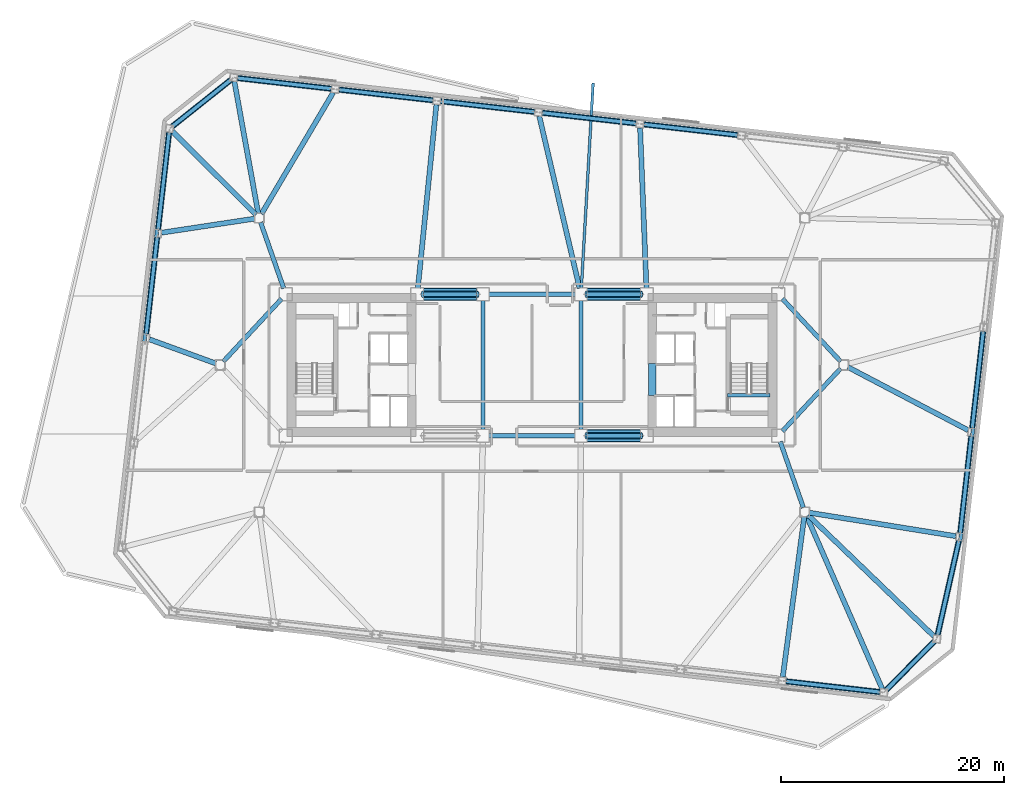
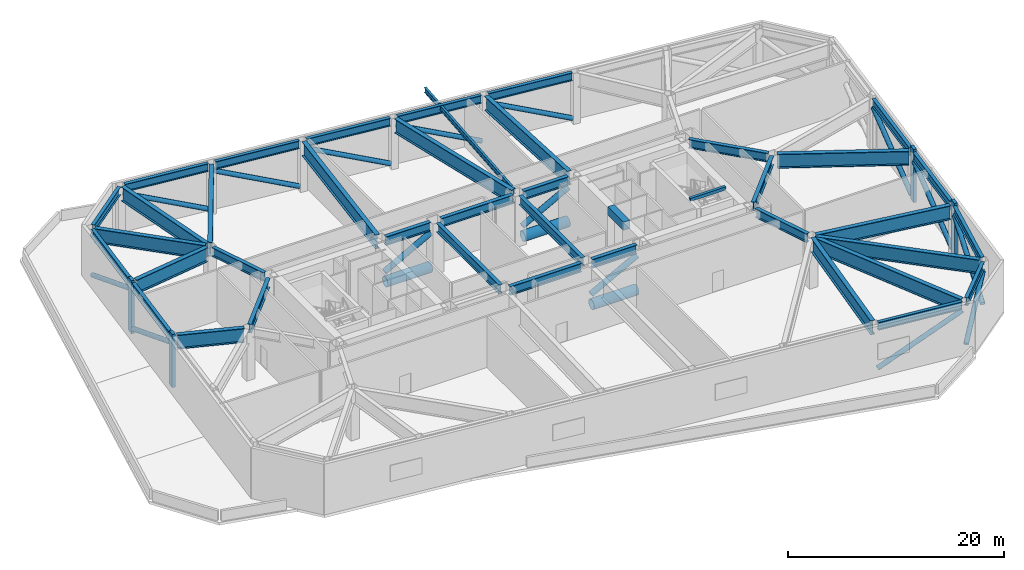
# One storey, part 2 of 14: 41 beams, 23 members.
"""IFC4 building model written with IfcOpenShell, lengths in metres."""

from ifc_helpers import new_model, si_unit, direction, frame, origin, origin_2d, place, context, subcontext, project, spatial, rectangle, hollow_circle, i_section, extrude, material, material_profile, profile_set, type_object, element, save


model = new_model("IFC4")

# Units and contexts
model_context = context("Model", 3, precision=1e-05, world=origin(), true_north=direction((0.0, 1.0)))
body_context = subcontext(model_context, "Body", "Model", "MODEL_VIEW")
ifc_project = project(units=[si_unit("LENGTHUNIT", "METRE"), si_unit("AREAUNIT", "SQUARE_METRE"), si_unit("VOLUMEUNIT", "CUBIC_METRE"), si_unit("PLANEANGLEUNIT", "RADIAN"), si_unit("MASSUNIT", "GRAM", prefix="KILO")], contexts=[model_context])

# Site, building, storey
site_placement = place(None, origin())
site = spatial("IfcSite", under=ifc_project, at=site_placement, CompositionType="ELEMENT")
building_placement = place(site_placement, origin())
building = spatial("IfcBuilding", under=site, at=building_placement, Name="Tavrogorsk Clinical Tower", CompositionType="ELEMENT")
storey_placement = place(building_placement, frame((0.0, 0.0, 83.39990234375)))
storey = spatial("IfcBuildingStorey", under=building, at=storey_placement, Name="L18", CompositionType="ELEMENT", Elevation=83.39990234375)

# Beam
ifc_material_1 = material(Name="Concrete B80", Category="concrete")
ifc_material_profile_1 = material_profile(ifc_material_1, rectangle(XDim=0.699951171875, YDim=0.949951171875, at=origin_2d()), Name="RC-CB-700x950")
ifc_profile_set_1 = profile_set([ifc_material_profile_1], Name="Concrete B80")
beam_type_1 = type_object("IfcBeamType", Name="CouplingBeam_RC700x950", PredefinedType="LINTEL", material=ifc_profile_set_1)
beam_1_placement = place(storey_placement, frame((10.800048828125, -2.75, 5.26513671875), z_axis=(0.0, 1.0, 0.0), x_axis=(-1.0, 0.0, 0.0)))
element("IfcBeam", 1, at=beam_1_placement, inside=storey, type_object=beam_type_1, Name="L18 Core East Coupling Beam", PredefinedType="LINTEL", context=body_context, shape_type="SweptSolid", body=[
    extrude(rectangle(XDim=0.699951171875, YDim=0.949951171875, at=origin_2d()), origin(), (0.0, 0.0, 1.0), 2.89990234375),
])

# Members
ifc_material_2 = material(Name="Structural steel S440", Category="steel")
ifc_material_profile_2 = material_profile(ifc_material_2, hollow_circle(Radius=0.25390625, WallThickness=0.02001953125, at=origin_2d()), Name="CHS-508x20")
ifc_profile_set_2 = profile_set([ifc_material_profile_2], Name="Structural steel S440")
member_type_1 = type_object("IfcMemberType", Name="ExoBrace_CHS508", PredefinedType="BRACE", material=ifc_profile_set_2)
member_1_placement = place(storey_placement, frame((22.78515625, -28.398681640625, 0.506103515625), z_axis=(0.89439520505, -0.101892798594, 0.435517020078), x_axis=(0.113191519986, 0.993573187945, 0.0)))
element("IfcMember", 2, at=member_1_placement, inside=storey, type_object=member_type_1, Name="L18 Exoskeleton Belt Diagonal S7-S8", PredefinedType="BRACE", context=body_context, shape_type="SweptSolid", body=[
    extrude(hollow_circle(Radius=0.25390625, WallThickness=0.02001953125, at=origin_2d()), origin(), (0.0, 0.0, 1.0), 9.478759765625),
])
member_2_placement = place(storey_placement, frame((31.79345703125, -29.188232421875, 0.546630859375), z_axis=(0.587552487978, 0.59457238921, 0.548876805722), x_axis=(-0.711293305146, 0.70289532226, 0.0)))
element("IfcMember", 3, at=member_2_placement, inside=storey, type_object=member_type_1, Name="L18 Exoskeleton Belt Diagonal S8-E1", PredefinedType="BRACE", context=body_context, shape_type="SweptSolid", body=[
    extrude(hollow_circle(Radius=0.25390625, WallThickness=0.02001953125, at=origin_2d()), origin(), (0.0, 0.0, 1.0), 7.373046875),
])
member_3_placement = place(storey_placement, frame((36.4072265625, -24.27587890625, 0.5029296875), z_axis=(0.199466993508, 0.881912488749, 0.427133797176), x_axis=(-0.975363605873, 0.220603346163, 0.0)))
element("IfcMember", 4, at=member_3_placement, inside=storey, type_object=member_type_1, Name="L18 Exoskeleton Belt Diagonal E1-E2", PredefinedType="BRACE", context=body_context, shape_type="SweptSolid", body=[
    extrude(hollow_circle(Radius=0.25390625, WallThickness=0.02001953125, at=origin_2d()), origin(), (0.0, 0.0, 1.0), 9.67919921875),
])
for number, where, z_axis, x_axis, name in (
    (5, (38.44580078125, -15.101806640625, 0.502197265625), (0.102481348116, 0.899433094661, 0.424873724201), (-0.993571372176, 0.113207457313, 0.0), "L18 Exoskeleton Belt Diagonal E2-E3"),
    (6, (39.516845703125, -5.70263671875, 0.502197265625), (0.102481348116, 0.899433094661, 0.424873724201), (-0.993571372176, 0.113207457313, 0.0), "L18 Exoskeleton Belt Diagonal E3-E4"),
):
    element("IfcMember", number, at=place(storey_placement, frame(where, z_axis=z_axis, x_axis=x_axis)), inside=storey, type_object=member_type_1, Name=name, PredefinedType="BRACE", context=body_context, shape_type="SweptSolid", body=[
        extrude(hollow_circle(Radius=0.25390625, WallThickness=0.02001953125, at=origin_2d()), origin(), (0.0, 0.0, 1.0), 9.734130859375),
    ])
for number, where, z_axis, x_axis, name in (
    (7, (18.487548828125, 20.64306640625, 0.506103515625), (-0.894392857509, 0.101918287607, 0.435515876965), (-0.113219765873, -0.993569969663, 0.0), "L18 Exoskeleton Belt Diagonal N3-N4"),
    (8, (9.369384765625, 21.681884765625, 0.506103515625), (-0.894392857509, 0.101918287607, 0.435515876965), (-0.113219765873, -0.993569969663, 0.0), "L18 Exoskeleton Belt Diagonal N4-N5"),
    (9, (0.251220703125, 22.720947265625, 0.506103515625), (-0.89439520505, 0.101892798594, 0.435517020078), (-0.113191519986, -0.993573187945, 0.0), "L18 Exoskeleton Belt Diagonal N5-N6"),
    (10, (-8.866943359375, 23.759765625, 0.506103515625), (-0.894392857509, 0.101918287607, 0.435515876965), (-0.113219765873, -0.993569969663, 0.0), "L18 Exoskeleton Belt Diagonal N6-N7"),
    (11, (-17.985107421875, 24.798583984375, 0.506103515625), (-0.89439520505, 0.101892798594, 0.435517020078), (-0.113191519986, -0.993573187945, 0.0), "L18 Exoskeleton Belt Diagonal N7-N8"),
):
    element("IfcMember", number, at=place(storey_placement, frame(where, z_axis=z_axis, x_axis=x_axis)), inside=storey, type_object=member_type_1, Name=name, PredefinedType="BRACE", context=body_context, shape_type="SweptSolid", body=[
        extrude(hollow_circle(Radius=0.25390625, WallThickness=0.02001953125, at=origin_2d()), origin(), (0.0, 0.0, 1.0), 9.478759765625),
    ])
member_4_placement = place(storey_placement, frame((-27.02294921875, 25.610107421875, 0.53515625), z_axis=(-0.669964163906, -0.532920402129, 0.516859617378), x_axis=(0.62251953265, -0.782604262363, 0.0)))
element("IfcMember", 12, at=member_4_placement, inside=storey, type_object=member_type_1, Name="L18 Exoskeleton Belt Diagonal N8-W1", PredefinedType="BRACE", context=body_context, shape_type="SweptSolid", body=[
    extrude(hollow_circle(Radius=0.25390625, WallThickness=0.02001953125, at=origin_2d()), origin(), (0.0, 0.0, 1.0), 7.8740234375),
])
for number, where, z_axis, x_axis, name in (
    (13, (-32.574951171875, 20.901123046875, 0.502197265625), (-0.102481348116, -0.899433094661, 0.424873724201), (0.993571372176, -0.113207457313, 0.0), "L18 Exoskeleton Belt Diagonal W1-W2"),
    (14, (-33.64599609375, 11.501953125, 0.502197265625), (-0.10245421908, -0.899440196979, 0.424865231633), (0.993574843088, -0.11317699052, 0.0), "L18 Exoskeleton Belt Diagonal W2-W3"),
):
    element("IfcMember", number, at=place(storey_placement, frame(where, z_axis=z_axis, x_axis=x_axis)), inside=storey, type_object=member_type_1, Name=name, PredefinedType="BRACE", context=body_context, shape_type="SweptSolid", body=[
        extrude(hollow_circle(Radius=0.25390625, WallThickness=0.02001953125, at=origin_2d()), origin(), (0.0, 0.0, 1.0), 9.734130859375),
    ])
ifc_material_3 = material(Name="Precast concrete B45 with limestone cladding", Category="masonry")
ifc_material_profile_3 = material_profile(ifc_material_3, rectangle(XDim=0.320068359375, YDim=0.719970703125, at=origin_2d()), Name="LIMESTONE-FIN-320x720")
ifc_profile_set_3 = profile_set([ifc_material_profile_3], Name="Precast concrete B45 with limestone cladding")
member_type_2 = type_object("IfcMemberType", Name="LimestonePleatFin_320x720", PredefinedType="USERDEFINED", material=ifc_profile_set_3)
for number, where, z_axis, x_axis, name in (
    (15, (38.48876953125, -15.432861328125, 0.0), (0.0, 0.0, 1.0), (0.993571855677, -0.113203213768, 0.0), "L18 E Pleated Stone Fin 1"),
    (16, (39.5595703125, -6.03369140625, 0.0), (0.0, 0.0, 1.0), (0.993571855677, -0.113203213768, 0.0), "L18 E Pleated Stone Fin 2"),
    (17, (-33.688720703125, 11.8330078125, 0.0), (0.0, 0.0, 1.0), (0.993571855677, -0.113203213768, 0.0), "L18 W Pleated Stone Fin 1"),
    (18, (-34.759521484375, 2.433837890625, 0.0), (0.0, 0.0, 1.0), (0.993571855677, -0.113203213768, 0.0), "L18 W Pleated Stone Fin 2"),
):
    element("IfcMember", number, at=place(storey_placement, frame(where, z_axis=z_axis, x_axis=x_axis)), inside=storey, type_object=member_type_2, Name=name, ObjectType="FIN", PredefinedType="USERDEFINED", context=body_context, shape_type="SweptSolid", body=[
        extrude(rectangle(XDim=0.320068359375, YDim=0.719970703125, at=origin_2d()), origin(), (0.0, 0.0, 1.0), 6.0),
    ])
ifc_material_4 = material(Name="Structural steel S440", Category="steel")
ifc_material_profile_4 = material_profile(ifc_material_4, hollow_circle(Radius=0.550048828125, WallThickness=0.0400390625, at=origin_2d()), Name="CHS-1100x40")
ifc_profile_set_4 = profile_set([ifc_material_profile_4], Name="Structural steel S440")
member_type_3 = type_object("IfcMemberType", Name="OutriggerChord_CHS1100", PredefinedType="CHORD", material=ifc_profile_set_4)
for number, where, z_axis, x_axis, name in (
    (19, (-9.739990234375, 6.35009765625, 0.580078125), (1.0, 0.0, 0.0), (0.0, 1.0, 0.0), "L18 Outrigger Bottom Chord 02"),
    (20, (4.9599609375, -6.35009765625, 0.580078125), (1.0, 0.0, 0.0), (0.0, 1.0, 0.0), "L18 Outrigger Bottom Chord 03"),
    (21, (4.9599609375, 6.35009765625, 0.580078125), (1.0, 0.0, 0.0), (0.0, 1.0, 0.0), "L18 Outrigger Bottom Chord 04"),
):
    element("IfcMember", number, at=place(storey_placement, frame(where, z_axis=z_axis, x_axis=x_axis)), inside=storey, type_object=member_type_3, Name=name, PredefinedType="CHORD", context=body_context, shape_type="SweptSolid", body=[
        extrude(hollow_circle(Radius=0.550048828125, WallThickness=0.0400390625, at=origin_2d()), origin(), (0.0, 0.0, 1.0), 4.780029296875),
    ])
ifc_material_5 = material(Name="Structural steel S440", Category="steel")
ifc_material_profile_5 = material_profile(ifc_material_5, hollow_circle(Radius=0.304931640625, WallThickness=0.02490234375, at=origin_2d()), Name="CHS-610x25")
ifc_profile_set_5 = profile_set([ifc_material_profile_5], Name="Structural steel S440")
member_type_4 = type_object("IfcMemberType", Name="OutriggerDiag_CHS610", PredefinedType="BRACE", material=ifc_profile_set_5)
for number, where, z_axis, x_axis, name in (
    (22, (-9.80810546875, 6.35009765625, 1.747802734375), (0.878423507925, 0.0, 0.477882978066), (0.0, 1.0, 0.0), "L18 Outrigger Diagonal 02"),
    (23, (4.891845703125, -6.35009765625, 1.747802734375), (0.878423507925, 0.0, 0.477882978066), (0.0, 1.0, 0.0), "L18 Outrigger Diagonal 03"),
    (24, (4.891845703125, 6.35009765625, 1.747802734375), (0.878423507925, 0.0, 0.477882978066), (0.0, 1.0, 0.0), "L18 Outrigger Diagonal 04"),
):
    element("IfcMember", number, at=place(storey_placement, frame(where, z_axis=z_axis, x_axis=x_axis)), inside=storey, type_object=member_type_4, Name=name, PredefinedType="BRACE", context=body_context, shape_type="SweptSolid", body=[
        extrude(hollow_circle(Radius=0.304931640625, WallThickness=0.02490234375, at=origin_2d()), origin(), (0.0, 0.0, 1.0), 5.5966796875),
    ])

# Beams
ifc_material_6 = material(Name="Structural steel S390", Category="steel")
ifc_material_profile_6 = material_profile(ifc_material_6, i_section(OverallWidth=0.239990234375, OverallDepth=0.550048828125, WebThickness=0.013916015625, FlangeThickness=0.02197265625, at=origin_2d()), Name="B-550x240x14x22")
ifc_profile_set_6 = profile_set([ifc_material_profile_6], Name="Structural steel S390")
beam_type_2 = type_object("IfcBeamType", Name="SpandrelBeam_B550", PredefinedType="SPANDREL", material=ifc_profile_set_6)
beam_2_placement = place(storey_placement, frame((4.43212890625, 6.9091796875, 5.445068359375), z_axis=(0.057376586592, 0.998352606703, 0.0), x_axis=(-0.998352606703, 0.057376586592, 0.0)))
element("IfcBeam", 25, at=beam_2_placement, inside=storey, type_object=beam_type_2, Name="L19 Spiral Terrace Cantilever Beam 2", PredefinedType="SPANDREL", context=body_context, shape_type="SweptSolid", body=[
    extrude(i_section(OverallWidth=0.239990234375, OverallDepth=0.550048828125, WebThickness=0.013916015625, FlangeThickness=0.02197265625, at=origin_2d()), origin(), (0.0, 0.0, 1.0), 18.445556640625),
])
ifc_material_7 = material(Name="Concrete B60", Category="concrete")
ifc_material_profile_7 = material_profile(ifc_material_7, rectangle(XDim=0.300048828125, YDim=0.35009765625, at=origin_2d()), Name="RC-SHB-300x350")
ifc_profile_set_7 = profile_set([ifc_material_profile_7], Name="Concrete B60")
beam_type_3 = type_object("IfcBeamType", Name="StairHeaderBeam_RC300x350", PredefinedType="BEAM", material=ifc_profile_set_7)
beam_3_placement = place(storey_placement, frame((17.550048828125, -2.719970703125, 5.8251953125), z_axis=(1.0, 0.0, 0.0), x_axis=(0.0, 1.0, 0.0)))
element("IfcBeam", 26, at=beam_3_placement, inside=storey, type_object=beam_type_3, Name="L19 ST-E Landing Header Beam", PredefinedType="BEAM", context=body_context, shape_type="SweptSolid", body=[
    extrude(rectangle(XDim=0.300048828125, YDim=0.35009765625, at=origin_2d()), origin(), (0.0, 0.0, 1.0), 3.800048828125),
])
ifc_material_8 = material(Name="Structural steel S440", Category="steel")
ifc_material_profile_8 = material_profile(ifc_material_8, i_section(OverallWidth=0.39990234375, OverallDepth=1.0, WebThickness=0.028076171875, FlangeThickness=0.044921875, at=origin_2d()), Name="DK-1000x400x28x45")
ifc_profile_set_8 = profile_set([ifc_material_profile_8], Name="Structural steel S440")
beam_type_4 = type_object("IfcBeamType", Name="TransferGirder_DK1000", PredefinedType="USERDEFINED", material=ifc_profile_set_8)
beam_4_placement = place(storey_placement, frame((-9.739990234375, 6.35009765625, 5.239990234375), z_axis=(1.0, 0.0, 0.0), x_axis=(0.0, 1.0, 0.0)))
element("IfcBeam", 27, at=beam_4_placement, inside=storey, type_object=beam_type_4, Name="L18 Primary Spine Girder MG-02", ObjectType="GIRDER", PredefinedType="USERDEFINED", context=body_context, shape_type="SweptSolid", body=[
    extrude(i_section(OverallWidth=0.39990234375, OverallDepth=1.0, WebThickness=0.028076171875, FlangeThickness=0.044921875, at=origin_2d()), origin(), (0.0, 0.0, 1.0), 4.780029296875),
])
for number, where, z_axis, x_axis, name in (
    (28, (-3.840087890625, -6.35009765625, 5.239990234375), (1.0, 0.0, 0.0), (0.0, 1.0, 0.0), "L18 Primary Spine Girder MG-03"),
    (29, (-3.840087890625, 6.35009765625, 5.239990234375), (1.0, 0.0, 0.0), (0.0, 1.0, 0.0), "L18 Primary Spine Girder MG-04"),
):
    element("IfcBeam", number, at=place(storey_placement, frame(where, z_axis=z_axis, x_axis=x_axis)), inside=storey, type_object=beam_type_4, Name=name, ObjectType="GIRDER", PredefinedType="USERDEFINED", context=body_context, shape_type="SweptSolid", body=[
        extrude(i_section(OverallWidth=0.39990234375, OverallDepth=1.0, WebThickness=0.028076171875, FlangeThickness=0.044921875, at=origin_2d()), origin(), (0.0, 0.0, 1.0), 7.68017578125),
    ])
for number, where, z_axis, x_axis, name in (
    (30, (4.9599609375, -6.35009765625, 5.239990234375), (1.0, 0.0, 0.0), (0.0, 1.0, 0.0), "L18 Primary Spine Girder MG-05"),
    (31, (4.9599609375, 6.35009765625, 5.239990234375), (1.0, 0.0, 0.0), (0.0, 1.0, 0.0), "L18 Primary Spine Girder MG-06"),
):
    element("IfcBeam", number, at=place(storey_placement, frame(where, z_axis=z_axis, x_axis=x_axis)), inside=storey, type_object=beam_type_4, Name=name, ObjectType="GIRDER", PredefinedType="USERDEFINED", context=body_context, shape_type="SweptSolid", body=[
        extrude(i_section(OverallWidth=0.39990234375, OverallDepth=1.0, WebThickness=0.028076171875, FlangeThickness=0.044921875, at=origin_2d()), origin(), (0.0, 0.0, 1.0), 4.780029296875),
    ])
for number, where, z_axis, x_axis, name in (
    (32, (-4.39990234375, -5.7900390625, 5.239990234375), (0.0, 1.0, 0.0), (-1.0, 0.0, 0.0), "L18 Primary Spine Girder MG-07"),
    (33, (4.39990234375, -5.7900390625, 5.239990234375), (0.0, 1.0, 0.0), (-1.0, 0.0, 0.0), "L18 Primary Spine Girder MG-08"),
):
    element("IfcBeam", number, at=place(storey_placement, frame(where, z_axis=z_axis, x_axis=x_axis)), inside=storey, type_object=beam_type_4, Name=name, ObjectType="GIRDER", PredefinedType="USERDEFINED", context=body_context, shape_type="SweptSolid", body=[
        extrude(i_section(OverallWidth=0.39990234375, OverallDepth=1.0, WebThickness=0.028076171875, FlangeThickness=0.044921875, at=origin_2d()), origin(), (0.0, 0.0, 1.0), 11.580078125),
    ])
for number, where, z_axis, x_axis, name in (
    (34, (24.364501953125, -12.81298828125, 5.239990234375), (-0.330668611543, 0.943746930771, 0.0), (-0.943746930771, -0.330668611543, 0.0), "L18 Spine Link Girder OPG-2"),
    (35, (-24.364501953125, 12.81298828125, 5.239990234375), (0.330668611543, -0.943746930771, 0.0), (0.943746930771, 0.330668611543, 0.0), "L18 Spine Link Girder OPG-3"),
):
    element("IfcBeam", number, at=place(storey_placement, frame(where, z_axis=z_axis, x_axis=x_axis)), inside=storey, type_object=beam_type_4, Name=name, ObjectType="GIRDER", PredefinedType="USERDEFINED", context=body_context, shape_type="SweptSolid", body=[
        extrude(i_section(OverallWidth=0.39990234375, OverallDepth=1.0, WebThickness=0.028076171875, FlangeThickness=0.044921875, at=origin_2d()), origin(), (0.0, 0.0, 1.0), 6.288330078125),
    ])
for number, where, z_axis, x_axis, name in (
    (36, (-27.720947265625, 0.30029296875, 5.239990234375), (0.680671250221, 0.732589004233, 0.0), (-0.732589004233, 0.680671250221, 0.0), "L18 Spine Link Girder OPG-6"),
    (37, (27.720947265625, -0.30029296875, 5.239990234375), (-0.680671250221, -0.732589004233, 0.0), (0.732589004233, -0.680671250221, 0.0), "L18 Spine Link Girder OPG-7"),
    (38, (27.720947265625, 0.30029296875, 5.239990234375), (-0.680671250221, 0.732589004233, 0.0), (-0.732589004233, -0.680671250221, 0.0), "L18 Spine Link Girder OPG-8"),
):
    element("IfcBeam", number, at=place(storey_placement, frame(where, z_axis=z_axis, x_axis=x_axis)), inside=storey, type_object=beam_type_4, Name=name, ObjectType="GIRDER", PredefinedType="USERDEFINED", context=body_context, shape_type="SweptSolid", body=[
        extrude(i_section(OverallWidth=0.39990234375, OverallDepth=1.0, WebThickness=0.028076171875, FlangeThickness=0.044921875, at=origin_2d()), origin(), (0.0, 0.0, 1.0), 7.697998046875),
    ])
ifc_material_9 = material(Name="Structural steel S440", Category="steel")
ifc_material_profile_9 = material_profile(ifc_material_9, i_section(OverallWidth=0.449951171875, OverallDepth=1.60009765625, WebThickness=0.031982421875, FlangeThickness=0.050048828125, at=origin_2d()), Name="DK-1600x450x32x50")
ifc_profile_set_9 = profile_set([ifc_material_profile_9], Name="Structural steel S440")
beam_type_5 = type_object("IfcBeamType", Name="TransferGirder_DK1600", PredefinedType="USERDEFINED", material=ifc_profile_set_9)
beam_5_placement = place(storey_placement, frame((24.445556640625, -13.6064453125, 4.940185546875), z_axis=(-0.133025440596, -0.991112623345, 0.0), x_axis=(0.991112623345, -0.133025440596, 0.0)))
element("IfcBeam", 39, at=beam_5_placement, inside=storey, type_object=beam_type_5, Name="L18 Radial Floor Beam S7", ObjectType="GIRDER", PredefinedType="USERDEFINED", context=body_context, shape_type="SweptSolid", body=[
    extrude(i_section(OverallWidth=0.449951171875, OverallDepth=1.60009765625, WebThickness=0.031982421875, FlangeThickness=0.050048828125, at=origin_2d()), origin(), (0.0, 0.0, 1.0), 14.530029296875),
])
beam_6_placement = place(storey_placement, frame((24.664306640625, -13.57568359375, 4.940185546875), z_axis=(0.400586354613, -0.916259009504, 0.0), x_axis=(0.916259009504, 0.400586354613, 0.0)))
element("IfcBeam", 40, at=beam_6_placement, inside=storey, type_object=beam_type_5, Name="L18 Radial Floor Beam S8", ObjectType="GIRDER", PredefinedType="USERDEFINED", context=body_context, shape_type="SweptSolid", body=[
    extrude(i_section(OverallWidth=0.449951171875, OverallDepth=1.60009765625, WebThickness=0.031982421875, FlangeThickness=0.050048828125, at=origin_2d()), origin(), (0.0, 0.0, 1.0), 16.91357421875),
])
beam_7_placement = place(storey_placement, frame((10.277587890625, 6.90966796875, 4.940185546875), z_axis=(-0.039871145126, 0.999204829745, 0.0), x_axis=(-0.999204829745, -0.039871145126, 0.0)))
element("IfcBeam", 41, at=beam_7_placement, inside=storey, type_object=beam_type_5, Name="L18 Radial Floor Beam N4", ObjectType="GIRDER", PredefinedType="USERDEFINED", context=body_context, shape_type="SweptSolid", body=[
    extrude(i_section(OverallWidth=0.449951171875, OverallDepth=1.60009765625, WebThickness=0.031982421875, FlangeThickness=0.050048828125, at=origin_2d()), origin(), (0.0, 0.0, 1.0), 14.3896484375),
])
beam_8_placement = place(storey_placement, frame((4.272216796875, 6.895263671875, 4.940185546875), z_axis=(-0.22820523144, 0.973613050623, 0.0), x_axis=(-0.973613050623, -0.22820523144, 0.0)))
element("IfcBeam", 42, at=beam_8_placement, inside=storey, type_object=beam_type_5, Name="L18 Radial Floor Beam N5", ObjectType="GIRDER", PredefinedType="USERDEFINED", context=body_context, shape_type="SweptSolid", body=[
    extrude(i_section(OverallWidth=0.449951171875, OverallDepth=1.60009765625, WebThickness=0.031982421875, FlangeThickness=0.050048828125, at=origin_2d()), origin(), (0.0, 0.0, 1.0), 15.859130859375),
])
beam_9_placement = place(storey_placement, frame((-10.24365234375, 6.9072265625, 4.940185546875), z_axis=(0.10039497098, 0.99494766184, 0.0), x_axis=(-0.99494766184, 0.10039497098, 0.0)))
element("IfcBeam", 43, at=beam_9_placement, inside=storey, type_object=beam_type_5, Name="L18 Radial Floor Beam N6", ObjectType="GIRDER", PredefinedType="USERDEFINED", context=body_context, shape_type="SweptSolid", body=[
    extrude(i_section(OverallWidth=0.449951171875, OverallDepth=1.60009765625, WebThickness=0.031982421875, FlangeThickness=0.050048828125, at=origin_2d()), origin(), (0.0, 0.0, 1.0), 16.54345703125),
])
beam_10_placement = place(storey_placement, frame((-24.291259765625, 13.552978515625, 4.940185546875), z_axis=(0.508876748392, 0.86083938975, 0.0), x_axis=(-0.86083938975, 0.508876748392, 0.0)))
element("IfcBeam", 44, at=beam_10_placement, inside=storey, type_object=beam_type_5, Name="L18 Radial Floor Beam N7", ObjectType="GIRDER", PredefinedType="USERDEFINED", context=body_context, shape_type="SweptSolid", body=[
    extrude(i_section(OverallWidth=0.449951171875, OverallDepth=1.60009765625, WebThickness=0.031982421875, FlangeThickness=0.050048828125, at=origin_2d()), origin(), (0.0, 0.0, 1.0), 12.663330078125),
])
beam_11_placement = place(storey_placement, frame((-24.572998046875, 13.603515625, 4.940185546875), z_axis=(-0.178287530482, 0.983978432932, 0.0), x_axis=(-0.983978432932, -0.178287530482, 0.0)))
element("IfcBeam", 45, at=beam_11_placement, inside=storey, type_object=beam_type_5, Name="L18 Radial Floor Beam N8", ObjectType="GIRDER", PredefinedType="USERDEFINED", context=body_context, shape_type="SweptSolid", body=[
    extrude(i_section(OverallWidth=0.449951171875, OverallDepth=1.60009765625, WebThickness=0.031982421875, FlangeThickness=0.050048828125, at=origin_2d()), origin(), (0.0, 0.0, 1.0), 12.0380859375),
])
beam_12_placement = place(storey_placement, frame((24.79541015625, -13.484375, 4.940185546875), z_axis=(0.720494740362, -0.693460401977, 0.0), x_axis=(0.693460401977, 0.720494740362, 0.0)))
element("IfcBeam", 46, at=beam_12_placement, inside=storey, type_object=beam_type_5, Name="L18 Radial Floor Beam E1", ObjectType="GIRDER", PredefinedType="USERDEFINED", context=body_context, shape_type="SweptSolid", body=[
    extrude(i_section(OverallWidth=0.449951171875, OverallDepth=1.60009765625, WebThickness=0.031982421875, FlangeThickness=0.050048828125, at=origin_2d()), origin(), (0.0, 0.0, 1.0), 15.659423828125),
])
beam_13_placement = place(storey_placement, frame((24.90478515625, -13.2646484375, 4.940185546875), z_axis=(0.987456527754, -0.157891120067, 0.0), x_axis=(0.157891120067, 0.987456527754, 0.0)))
element("IfcBeam", 47, at=beam_13_placement, inside=storey, type_object=beam_type_5, Name="L18 Radial Floor Beam E2", ObjectType="GIRDER", PredefinedType="USERDEFINED", context=body_context, shape_type="SweptSolid", body=[
    extrude(i_section(OverallWidth=0.449951171875, OverallDepth=1.60009765625, WebThickness=0.031982421875, FlangeThickness=0.050048828125, at=origin_2d()), origin(), (0.0, 0.0, 1.0), 13.31787109375),
])
beam_14_placement = place(storey_placement, frame((28.363037109375, -0.1904296875, 4.940185546875), z_axis=(0.885467298335, -0.464701693111, 0.0), x_axis=(0.464701693111, 0.885467298335, 0.0)))
element("IfcBeam", 48, at=beam_14_placement, inside=storey, type_object=beam_type_5, Name="L18 Radial Floor Beam E3", ObjectType="GIRDER", PredefinedType="USERDEFINED", context=body_context, shape_type="SweptSolid", body=[
    extrude(i_section(OverallWidth=0.449951171875, OverallDepth=1.60009765625, WebThickness=0.031982421875, FlangeThickness=0.050048828125, at=origin_2d()), origin(), (0.0, 0.0, 1.0), 12.197021484375),
])
beam_15_placement = place(storey_placement, frame((-24.790283203125, 13.48974609375, 4.940185546875), z_axis=(-0.707775090959, 0.706437839175, 0.0), x_axis=(-0.706437839175, -0.707775090959, 0.0)))
element("IfcBeam", 49, at=beam_15_placement, inside=storey, type_object=beam_type_5, Name="L18 Radial Floor Beam W1", ObjectType="GIRDER", PredefinedType="USERDEFINED", context=body_context, shape_type="SweptSolid", body=[
    extrude(i_section(OverallWidth=0.449951171875, OverallDepth=1.60009765625, WebThickness=0.031982421875, FlangeThickness=0.050048828125, at=origin_2d()), origin(), (0.0, 0.0, 1.0), 10.589111328125),
])
beam_16_placement = place(storey_placement, frame((-24.905517578125, 13.138671875, 4.940185546875), z_axis=(-0.98878314082, -0.149358295482, 0.0), x_axis=(0.149358295482, -0.98878314082, 0.0)))
element("IfcBeam", 50, at=beam_16_placement, inside=storey, type_object=beam_type_5, Name="L18 Radial Floor Beam W2", ObjectType="GIRDER", PredefinedType="USERDEFINED", context=body_context, shape_type="SweptSolid", body=[
    extrude(i_section(OverallWidth=0.449951171875, OverallDepth=1.60009765625, WebThickness=0.031982421875, FlangeThickness=0.050048828125, at=origin_2d()), origin(), (0.0, 0.0, 1.0), 8.4443359375),
])
beam_17_placement = place(storey_placement, frame((-28.385498046875, 0.139892578125, 4.940185546875), z_axis=(-0.939993443432, 0.341192506225, 0.0), x_axis=(-0.341192506225, -0.939993443432, 0.0)))
element("IfcBeam", 51, at=beam_17_placement, inside=storey, type_object=beam_type_5, Name="L18 Radial Floor Beam W3", ObjectType="GIRDER", PredefinedType="USERDEFINED", context=body_context, shape_type="SweptSolid", body=[
    extrude(i_section(OverallWidth=0.449951171875, OverallDepth=1.60009765625, WebThickness=0.031982421875, FlangeThickness=0.050048828125, at=origin_2d()), origin(), (0.0, 0.0, 1.0), 6.33837890625),
])
ifc_material_10 = material(Name="Structural steel S440", Category="steel")
ifc_material_profile_10 = material_profile(ifc_material_10, i_section(OverallWidth=0.360107421875, OverallDepth=0.89990234375, WebThickness=0.02392578125, FlangeThickness=0.0400390625, at=origin_2d()), Name="DK-900x360x24x40")
ifc_profile_set_10 = profile_set([ifc_material_profile_10], Name="Structural steel S440")
beam_type_6 = type_object("IfcBeamType", Name="TransferGirder_DK900", PredefinedType="USERDEFINED", material=ifc_profile_set_10)
beam_18_placement = place(storey_placement, frame((22.82080078125, -28.40283203125, 5.2900390625), z_axis=(0.99357232562, -0.113199089054, 0.0), x_axis=(0.113199089054, 0.99357232562, 0.0)))
element("IfcBeam", 52, at=beam_18_placement, inside=storey, type_object=beam_type_6, Name="L18 Perimeter Spandrel S7-S8", ObjectType="GIRDER", PredefinedType="USERDEFINED", context=body_context, shape_type="SweptSolid", body=[
    extrude(i_section(OverallWidth=0.360107421875, OverallDepth=0.89990234375, WebThickness=0.02392578125, FlangeThickness=0.0400390625, at=origin_2d()), origin(), (0.0, 0.0, 1.0), 8.4609375),
])
beam_19_placement = place(storey_placement, frame((31.834716796875, -29.146240234375, 5.2900390625), z_axis=(0.702934929184, 0.711254163667, 0.0), x_axis=(-0.711254163667, 0.702934929184, 0.0)))
element("IfcBeam", 53, at=beam_19_placement, inside=storey, type_object=beam_type_6, Name="L18 Perimeter Spandrel S8-E1", ObjectType="GIRDER", PredefinedType="USERDEFINED", context=body_context, shape_type="SweptSolid", body=[
    extrude(i_section(OverallWidth=0.360107421875, OverallDepth=0.89990234375, WebThickness=0.02392578125, FlangeThickness=0.0400390625, at=origin_2d()), origin(), (0.0, 0.0, 1.0), 6.04541015625),
])
beam_20_placement = place(storey_placement, frame((36.414794921875, -24.242431640625, 5.2900390625), z_axis=(0.220602599501, 0.975363774749, 0.0), x_axis=(-0.975363774749, 0.220602599501, 0.0)))
element("IfcBeam", 54, at=beam_20_placement, inside=storey, type_object=beam_type_6, Name="L18 Perimeter Spandrel E1-E2", ObjectType="GIRDER", PredefinedType="USERDEFINED", context=body_context, shape_type="SweptSolid", body=[
    extrude(i_section(OverallWidth=0.360107421875, OverallDepth=0.89990234375, WebThickness=0.02392578125, FlangeThickness=0.0400390625, at=origin_2d()), origin(), (0.0, 0.0, 1.0), 8.68310546875),
])
for number, where, z_axis, x_axis, name in (
    (55, (38.44970703125, -15.068115234375, 5.2900390625), (0.113192226434, 0.993573107464, 0.0), (-0.993573107464, 0.113192226434, 0.0), "L18 Perimeter Spandrel E2-E3"),
    (56, (39.520751953125, -5.6689453125, 5.2900390625), (0.113192226434, 0.993573107464, 0.0), (-0.993573107464, 0.113192226434, 0.0), "L18 Perimeter Spandrel E3-E4"),
):
    element("IfcBeam", number, at=place(storey_placement, frame(where, z_axis=z_axis, x_axis=x_axis)), inside=storey, type_object=beam_type_6, Name=name, ObjectType="GIRDER", PredefinedType="USERDEFINED", context=body_context, shape_type="SweptSolid", body=[
        extrude(i_section(OverallWidth=0.360107421875, OverallDepth=0.89990234375, WebThickness=0.02392578125, FlangeThickness=0.0400390625, at=origin_2d()), origin(), (0.0, 0.0, 1.0), 8.743896484375),
    ])
beam_21_placement = place(storey_placement, frame((18.451904296875, 20.647216796875, 5.2900390625), z_axis=(-0.99357232562, 0.113199089054, 0.0), x_axis=(-0.113199089054, -0.99357232562, 0.0)))
element("IfcBeam", 57, at=beam_21_placement, inside=storey, type_object=beam_type_6, Name="L18 Perimeter Spandrel N3-N4", ObjectType="GIRDER", PredefinedType="USERDEFINED", context=body_context, shape_type="SweptSolid", body=[
    extrude(i_section(OverallWidth=0.360107421875, OverallDepth=0.89990234375, WebThickness=0.02392578125, FlangeThickness=0.0400390625, at=origin_2d()), origin(), (0.0, 0.0, 1.0), 8.4609375),
])
for number, where, z_axis, x_axis, name in (
    (58, (9.333984375, 21.68603515625, 5.2900390625), (-0.99357306506, 0.113192598642, 0.0), (-0.113192598642, -0.99357306506, 0.0), "L18 Perimeter Spandrel N4-N5"),
    (59, (0.2158203125, 22.724853515625, 5.2900390625), (-0.993569819641, 0.113221082395, 0.0), (-0.113221082395, -0.993569819641, 0.0), "L18 Perimeter Spandrel N5-N6"),
):
    element("IfcBeam", number, at=place(storey_placement, frame(where, z_axis=z_axis, x_axis=x_axis)), inside=storey, type_object=beam_type_6, Name=name, ObjectType="GIRDER", PredefinedType="USERDEFINED", context=body_context, shape_type="SweptSolid", body=[
        extrude(i_section(OverallWidth=0.360107421875, OverallDepth=0.89990234375, WebThickness=0.02392578125, FlangeThickness=0.0400390625, at=origin_2d()), origin(), (0.0, 0.0, 1.0), 8.46142578125),
    ])
for number, where, z_axis, x_axis, name in (
    (60, (-8.902587890625, 23.763916015625, 5.2900390625), (-0.993572695356, 0.113195843756, 0.0), (-0.113195843756, -0.993572695356, 0.0), "L18 Perimeter Spandrel N6-N7"),
    (61, (-18.020751953125, 24.802734375, 5.2900390625), (-0.993572695356, 0.113195843756, 0.0), (-0.113195843756, -0.993572695356, 0.0), "L18 Perimeter Spandrel N7-N8"),
):
    element("IfcBeam", number, at=place(storey_placement, frame(where, z_axis=z_axis, x_axis=x_axis)), inside=storey, type_object=beam_type_6, Name=name, ObjectType="GIRDER", PredefinedType="USERDEFINED", context=body_context, shape_type="SweptSolid", body=[
        extrude(i_section(OverallWidth=0.360107421875, OverallDepth=0.89990234375, WebThickness=0.02392578125, FlangeThickness=0.0400390625, at=origin_2d()), origin(), (0.0, 0.0, 1.0), 8.461181640625),
    ])
beam_22_placement = place(storey_placement, frame((-27.063232421875, 25.578125, 5.2900390625), z_axis=(-0.782613271493, -0.622508206599, 0.0), x_axis=(0.622508206599, -0.782613271493, 0.0)))
element("IfcBeam", 62, at=beam_22_placement, inside=storey, type_object=beam_type_6, Name="L18 Perimeter Spandrel N8-W1", ObjectType="GIRDER", PredefinedType="USERDEFINED", context=body_context, shape_type="SweptSolid", body=[
    extrude(i_section(OverallWidth=0.360107421875, OverallDepth=0.89990234375, WebThickness=0.02392578125, FlangeThickness=0.0400390625, at=origin_2d()), origin(), (0.0, 0.0, 1.0), 6.6376953125),
])
for number, where, z_axis, x_axis, name in (
    (63, (-32.578857421875, 20.867431640625, 5.2900390625), (-0.113192226434, -0.993573107464, 0.0), (0.993573107464, -0.113192226434, 0.0), "L18 Perimeter Spandrel W1-W2"),
    (64, (-33.649658203125, 11.46826171875, 5.2900390625), (-0.113219789686, -0.993569966949, 0.0), (0.993569966949, -0.113219789686, 0.0), "L18 Perimeter Spandrel W2-W3"),
):
    element("IfcBeam", number, at=place(storey_placement, frame(where, z_axis=z_axis, x_axis=x_axis)), inside=storey, type_object=beam_type_6, Name=name, ObjectType="GIRDER", PredefinedType="USERDEFINED", context=body_context, shape_type="SweptSolid", body=[
        extrude(i_section(OverallWidth=0.360107421875, OverallDepth=0.89990234375, WebThickness=0.02392578125, FlangeThickness=0.0400390625, at=origin_2d()), origin(), (0.0, 0.0, 1.0), 8.743896484375),
    ])

save(model, "model.ifc")
